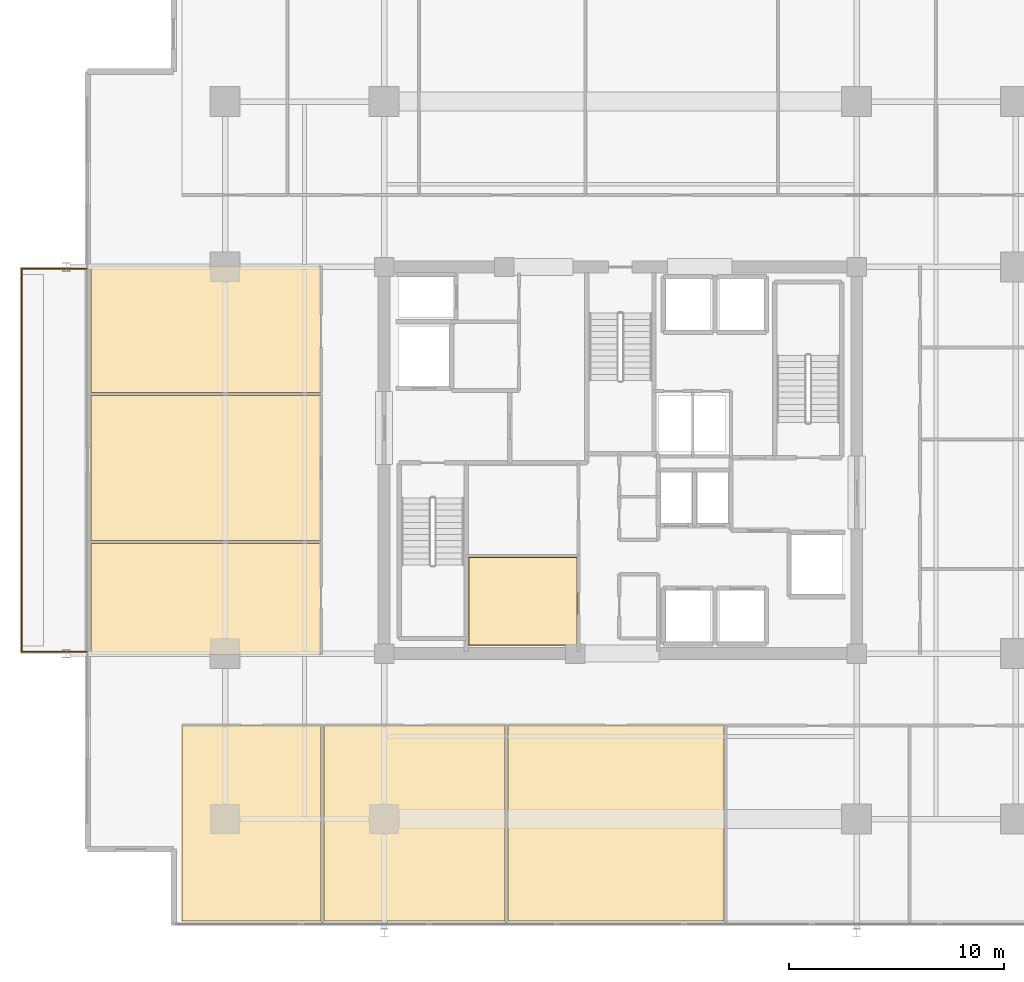
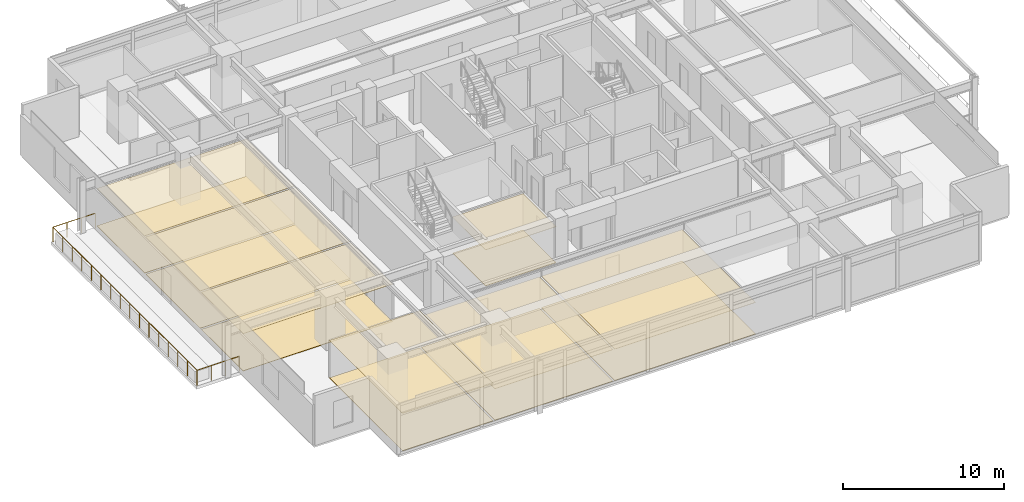
# One storey, part 18 of 21: 14 coverings, 1 railing.
"""IFC4 building model written with IfcOpenShell, lengths in metres."""

from ifc_helpers import new_model, si_unit, direction, frame, origin, origin_2d, place, context, subcontext, project, spatial, polyline, circle, outline, extrude, material, layer, layer_set, type_object, element, save


model = new_model("IFC4")

# Units and contexts
model_context = context("Model", 3, precision=1e-05, world=origin(), true_north=direction((0.0, 1.0)))
body_context = subcontext(model_context, "Body", "Model", "MODEL_VIEW")
ifc_project = project(units=[si_unit("LENGTHUNIT", "METRE"), si_unit("AREAUNIT", "SQUARE_METRE"), si_unit("VOLUMEUNIT", "CUBIC_METRE"), si_unit("PLANEANGLEUNIT", "RADIAN"), si_unit("MASSUNIT", "GRAM", prefix="KILO")], contexts=[model_context])

# Site, building, storey
site_placement = place(None, origin())
site = spatial("IfcSite", under=ifc_project, at=site_placement, CompositionType="ELEMENT")
building_placement = place(site_placement, origin())
building = spatial("IfcBuilding", under=site, at=building_placement, Name="Kovane Verandah Tower", CompositionType="ELEMENT")
storey_placement = place(building_placement, frame((0.0, 0.0, 205.199951171875)))
storey = spatial("IfcBuildingStorey", under=building, at=storey_placement, Name="L47", CompositionType="ELEMENT", Elevation=205.199951171875)

# Coverings
ifc_material_1 = material(Name="Perforated Acoustic Mineral-Fibre Ceiling Tile", Category="gypsum")
ifc_layer_1 = layer(ifc_material_1, 0.02490234375)
ifc_layer_set_1 = layer_set([ifc_layer_1], Name="Perforated Acoustic Mineral-Fibre Ceiling Tile")
covering_type_1 = type_object("IfcCoveringType", Name="CV-CEIL-25", PredefinedType="CEILING", material=ifc_layer_set_1)
covering_1_placement = place(storey_placement, frame((0.0, 0.0, 2.72998046875)))
element("IfcCovering", 1, at=covering_1_placement, inside=storey, type_object=covering_type_1, Name="L47 IT Server Room Acoustic Ceiling", PredefinedType="CEILING", context=body_context, shape_type="SweptSolid", body=[
    extrude(outline(polyline([(32.93505859375, 18.885009765625), (37.9951171875, 18.885009765625), (37.9951171875, 22.9951171875), (32.93505859375, 22.9951171875), (32.93505859375, 18.885009765625)])), origin(), (0.0, 0.0, 1.0), 0.025146484375),
])
covering_2_placement = place(storey_placement, frame((0.0, 0.0, 2.824951171875)))
element("IfcCovering", 2, at=covering_2_placement, inside=storey, type_object=covering_type_1, Name="L47 Meeting Room S1 Acoustic Ceiling", PredefinedType="CEILING", context=body_context, shape_type="SweptSolid", body=[
    extrude(outline(polyline([(19.60009765625, 6.050048828125), (26.05810546875, 6.050048828125), (26.05810546875, 15.14990234375), (19.60009765625, 15.14990234375), (19.60009765625, 6.050048828125)])), origin(), (0.0, 0.0, 1.0), 0.025146484375),
])
covering_3_placement = place(storey_placement, frame((0.0, 0.0, 2.380126953125)))
element("IfcCovering", 3, at=covering_3_placement, inside=storey, type_object=covering_type_1, Name="L47 Focus Studio S2 Acoustic Ceiling", PredefinedType="CEILING", context=body_context, shape_type="SweptSolid", body=[
    extrude(outline(polyline([(26.197998046875, 6.050048828125), (34.6259765625, 6.050048828125), (34.6259765625, 15.14990234375), (26.197998046875, 15.14990234375), (26.197998046875, 6.050048828125)])), origin(), (0.0, 0.0, 1.0), 0.02490234375),
])
covering_4_placement = place(storey_placement, frame((0.0, 0.0, 2.380126953125)))
element("IfcCovering", 4, at=covering_4_placement, inside=storey, type_object=covering_type_1, Name="L47 Breakout Pantry S3 Acoustic Ceiling", PredefinedType="CEILING", context=body_context, shape_type="SweptSolid", body=[
    extrude(outline(polyline([(34.76611328125, 6.050048828125), (44.825927734375, 6.050048828125), (44.825927734375, 15.14990234375), (34.76611328125, 15.14990234375), (34.76611328125, 6.050048828125)])), origin(), (0.0, 0.0, 1.0), 0.02490234375),
])
covering_5_placement = place(storey_placement, frame((0.0, 0.0, 2.824951171875)))
element("IfcCovering", 5, at=covering_5_placement, inside=storey, type_object=covering_type_1, Name="L47 Open Plan Office W1 Acoustic Ceiling", PredefinedType="CEILING", context=body_context, shape_type="SweptSolid", body=[
    extrude(outline(polyline([(15.35009765625, 18.449951171875), (26.050048828125, 18.449951171875), (26.050048828125, 23.62890625), (15.35009765625, 23.62890625), (15.35009765625, 18.449951171875)])), origin(), (0.0, 0.0, 1.0), 0.025146484375),
])
covering_6_placement = place(storey_placement, frame((0.0, 0.0, 2.824951171875)))
element("IfcCovering", 6, at=covering_6_placement, inside=storey, type_object=covering_type_1, Name="L47 Executive Office W2 Acoustic Ceiling", PredefinedType="CEILING", context=body_context, shape_type="SweptSolid", body=[
    extrude(outline(polyline([(15.35009765625, 23.76904296875), (26.050048828125, 23.76904296875), (26.050048828125, 30.507080078125), (15.35009765625, 30.507080078125), (15.35009765625, 23.76904296875)])), origin(), (0.0, 0.0, 1.0), 0.025146484375),
])
covering_7_placement = place(storey_placement, frame((0.0, 0.0, 2.824951171875)))
element("IfcCovering", 7, at=covering_7_placement, inside=storey, type_object=covering_type_1, Name="L47 Client Boardroom W3 Acoustic Ceiling", PredefinedType="CEILING", context=body_context, shape_type="SweptSolid", body=[
    extrude(outline(polyline([(15.35009765625, 30.64697265625), (26.050048828125, 30.64697265625), (26.050048828125, 36.550048828125), (15.35009765625, 36.550048828125), (15.35009765625, 30.64697265625)])), origin(), (0.0, 0.0, 1.0), 0.025146484375),
])
ifc_material_2 = material(Name="Polished Terrazzo and Raised-Access Carpet Tile Finish", Category="concrete")
ifc_layer_2 = layer(ifc_material_2, 0.030029296875)
ifc_layer_set_2 = layer_set([ifc_layer_2], Name="Polished Terrazzo and Raised-Access Carpet Tile Finish")
covering_type_2 = type_object("IfcCoveringType", Name="CV-FLOR-30", PredefinedType="FLOORING", material=ifc_layer_set_2)
covering_8_placement = place(storey_placement, origin())
element("IfcCovering", 8, at=covering_8_placement, inside=storey, type_object=covering_type_2, Name="L47 IT Server Room Floor Finish", PredefinedType="FLOORING", context=body_context, shape_type="SweptSolid", body=[
    extrude(outline(polyline([(32.949951171875, 18.89990234375), (37.97998046875, 18.89990234375), (37.97998046875, 22.97998046875), (32.949951171875, 22.97998046875), (32.949951171875, 18.89990234375)])), origin(), (0.0, 0.0, 1.0), 0.030029296875),
])
covering_9_placement = place(storey_placement, origin())
element("IfcCovering", 9, at=covering_9_placement, inside=storey, type_object=covering_type_2, Name="L47 Meeting Room S1 Floor Finish", PredefinedType="FLOORING", context=body_context, shape_type="SweptSolid", body=[
    extrude(outline(polyline([(19.60009765625, 6.050048828125), (26.05810546875, 6.050048828125), (26.05810546875, 15.14990234375), (19.60009765625, 15.14990234375), (19.60009765625, 6.050048828125)])), origin(), (0.0, 0.0, 1.0), 0.030029296875),
])
covering_10_placement = place(storey_placement, origin())
element("IfcCovering", 10, at=covering_10_placement, inside=storey, type_object=covering_type_2, Name="L47 Focus Studio S2 Floor Finish", PredefinedType="FLOORING", context=body_context, shape_type="SweptSolid", body=[
    extrude(outline(polyline([(26.197998046875, 6.050048828125), (34.6259765625, 6.050048828125), (34.6259765625, 15.14990234375), (26.197998046875, 15.14990234375), (26.197998046875, 6.050048828125)])), origin(), (0.0, 0.0, 1.0), 0.030029296875),
])
covering_11_placement = place(storey_placement, origin())
element("IfcCovering", 11, at=covering_11_placement, inside=storey, type_object=covering_type_2, Name="L47 Breakout Pantry S3 Floor Finish", PredefinedType="FLOORING", context=body_context, shape_type="SweptSolid", body=[
    extrude(outline(polyline([(34.76611328125, 6.050048828125), (44.825927734375, 6.050048828125), (44.825927734375, 15.14990234375), (34.76611328125, 15.14990234375), (34.76611328125, 6.050048828125)])), origin(), (0.0, 0.0, 1.0), 0.030029296875),
])
covering_12_placement = place(storey_placement, origin())
element("IfcCovering", 12, at=covering_12_placement, inside=storey, type_object=covering_type_2, Name="L47 Open Plan Office W1 Floor Finish", PredefinedType="FLOORING", context=body_context, shape_type="SweptSolid", body=[
    extrude(outline(polyline([(15.35009765625, 18.449951171875), (26.050048828125, 18.449951171875), (26.050048828125, 23.62890625), (15.35009765625, 23.62890625), (15.35009765625, 18.449951171875)])), origin(), (0.0, 0.0, 1.0), 0.030029296875),
])
covering_13_placement = place(storey_placement, origin())
element("IfcCovering", 13, at=covering_13_placement, inside=storey, type_object=covering_type_2, Name="L47 Executive Office W2 Floor Finish", PredefinedType="FLOORING", context=body_context, shape_type="SweptSolid", body=[
    extrude(outline(polyline([(15.35009765625, 23.76904296875), (26.050048828125, 23.76904296875), (26.050048828125, 30.507080078125), (15.35009765625, 30.507080078125), (15.35009765625, 23.76904296875)])), origin(), (0.0, 0.0, 1.0), 0.030029296875),
])
covering_14_placement = place(storey_placement, origin())
element("IfcCovering", 14, at=covering_14_placement, inside=storey, type_object=covering_type_2, Name="L47 Client Boardroom W3 Floor Finish", PredefinedType="FLOORING", context=body_context, shape_type="SweptSolid", body=[
    extrude(outline(polyline([(15.35009765625, 30.64697265625), (26.050048828125, 30.64697265625), (26.050048828125, 36.550048828125), (15.35009765625, 36.550048828125), (15.35009765625, 30.64697265625)])), origin(), (0.0, 0.0, 1.0), 0.030029296875),
])

# Railing
ifc_material_3 = material(Name="Laminated Glass and Pale-Champagne Stainless Balustrade", Category="glass")
railing_type = type_object("IfcRailingType", Name="RL-BAL-1150", PredefinedType="BALUSTRADE", material=ifc_material_3)
railing_placement = place(storey_placement, frame((15.14990234375, 18.580078125, 0.0)))
element("IfcRailing", 15, at=railing_placement, inside=storey, type_object=railing_type, Name="L47 W Verandah Glass Balustrade", PredefinedType="BALUSTRADE", context=body_context, shape_type="SweptSolid", body=[
    extrude(circle(Radius=0.02392578125, at=origin_2d()), frame((0.0, 0.0, 1.1259765625), z_axis=(-1.0, 0.0, 0.0), x_axis=(0.0, -1.0, 0.0)), (0.0, 0.0, 1.0), 3.02001953125),
    extrude(circle(Radius=0.02392578125, at=origin_2d()), frame((-3.02001953125, 0.0, 1.1259765625), z_axis=(0.0, 1.0, 0.0), x_axis=(-1.0, 0.0, 0.0)), (0.0, 0.0, 1.0), 17.83984375),
    extrude(circle(Radius=0.02392578125, at=origin_2d()), frame((-3.02001953125, 17.83984375, 1.1259765625), z_axis=(1.0, 0.0, 0.0), x_axis=(0.0, 1.0, 0.0)), (0.0, 0.0, 1.0), 3.02001953125),
    extrude(circle(Radius=0.02099609375, at=origin_2d()), origin(), (0.0, 0.0, 1.0), 1.101806640625),
    extrude(circle(Radius=0.02099609375, at=origin_2d()), frame((-1.006591796875, 0.0, 0.0)), (0.0, 0.0, 1.0), 1.101806640625),
    extrude(circle(Radius=0.02099609375, at=origin_2d()), frame((-2.013427734375, 0.0, 0.0)), (0.0, 0.0, 1.0), 1.101806640625),
    extrude(circle(Radius=0.02099609375, at=origin_2d()), frame((-3.02001953125, 0.0, 0.0)), (0.0, 0.0, 1.0), 1.101806640625),
    extrude(circle(Radius=0.02099609375, at=origin_2d()), frame((-3.02001953125, 1.189208984375, 0.0)), (0.0, 0.0, 1.0), 1.101806640625),
    extrude(circle(Radius=0.02099609375, at=origin_2d()), frame((-3.02001953125, 2.378662109375, 0.0)), (0.0, 0.0, 1.0), 1.101806640625),
    extrude(circle(Radius=0.02099609375, at=origin_2d()), frame((-3.02001953125, 3.56787109375, 0.0)), (0.0, 0.0, 1.0), 1.101806640625),
    extrude(circle(Radius=0.02099609375, at=origin_2d()), frame((-3.02001953125, 4.75732421875, 0.0)), (0.0, 0.0, 1.0), 1.101806640625),
    extrude(circle(Radius=0.02099609375, at=origin_2d()), frame((-3.02001953125, 5.946533203125, 0.0)), (0.0, 0.0, 1.0), 1.101806640625),
    extrude(circle(Radius=0.02099609375, at=origin_2d()), frame((-3.02001953125, 7.135986328125, 0.0)), (0.0, 0.0, 1.0), 1.101806640625),
    extrude(circle(Radius=0.02099609375, at=origin_2d()), frame((-3.02001953125, 8.3251953125, 0.0)), (0.0, 0.0, 1.0), 1.101806640625),
    extrude(circle(Radius=0.02099609375, at=origin_2d()), frame((-3.02001953125, 9.5146484375, 0.0)), (0.0, 0.0, 1.0), 1.101806640625),
    extrude(circle(Radius=0.02099609375, at=origin_2d()), frame((-3.02001953125, 10.703857421875, 0.0)), (0.0, 0.0, 1.0), 1.101806640625),
    extrude(circle(Radius=0.02099609375, at=origin_2d()), frame((-3.02001953125, 11.893310546875, 0.0)), (0.0, 0.0, 1.0), 1.101806640625),
    extrude(circle(Radius=0.02099609375, at=origin_2d()), frame((-3.02001953125, 13.08251953125, 0.0)), (0.0, 0.0, 1.0), 1.101806640625),
    extrude(circle(Radius=0.02099609375, at=origin_2d()), frame((-3.02001953125, 14.27197265625, 0.0)), (0.0, 0.0, 1.0), 1.101806640625),
    extrude(circle(Radius=0.02099609375, at=origin_2d()), frame((-3.02001953125, 15.461181640625, 0.0)), (0.0, 0.0, 1.0), 1.101806640625),
    extrude(circle(Radius=0.02099609375, at=origin_2d()), frame((-3.02001953125, 16.650634765625, 0.0)), (0.0, 0.0, 1.0), 1.101806640625),
    extrude(circle(Radius=0.02099609375, at=origin_2d()), frame((-3.02001953125, 17.83984375, 0.0)), (0.0, 0.0, 1.0), 1.101806640625),
    extrude(circle(Radius=0.02099609375, at=origin_2d()), frame((-2.013427734375, 17.83984375, 0.0)), (0.0, 0.0, 1.0), 1.101806640625),
    extrude(circle(Radius=0.02099609375, at=origin_2d()), frame((-1.006591796875, 17.83984375, 0.0)), (0.0, 0.0, 1.0), 1.101806640625),
    extrude(circle(Radius=0.02099609375, at=origin_2d()), frame((0.0, 17.83984375, 0.0)), (0.0, 0.0, 1.0), 1.101806640625),
])

save(model, "model.ifc")
